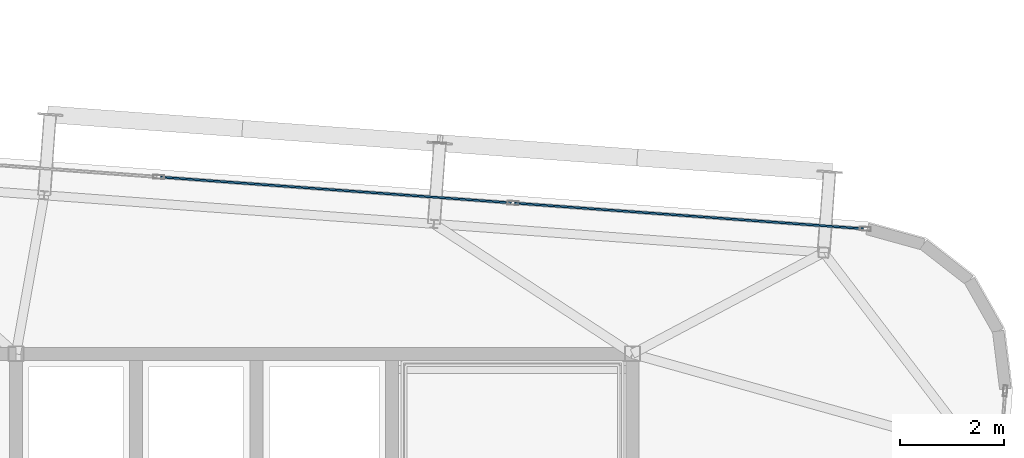
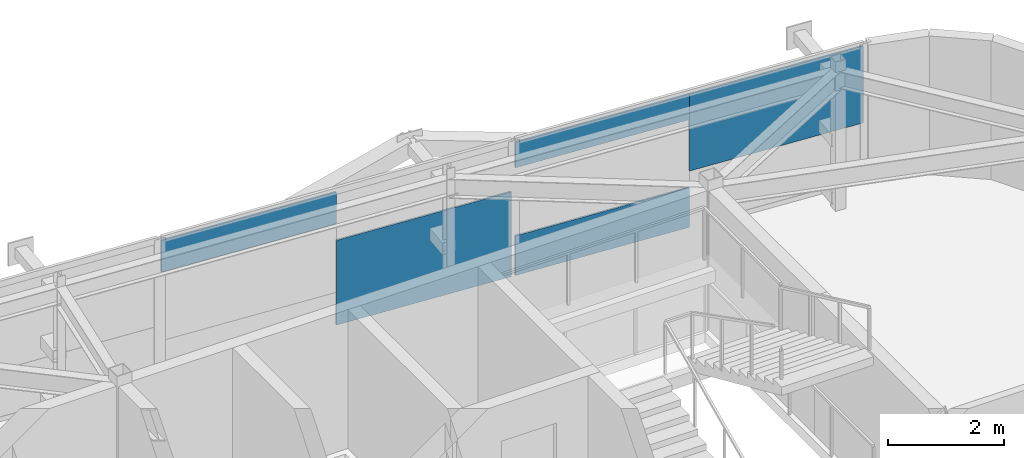
# One storey, part 28 of 39: 5 plates, 1 element without a shape of its own.
"""IFC4 building model written with IfcOpenShell, lengths in metres."""

from ifc_helpers import new_model, si_unit, direction, frame, origin, origin_2d, place, context, subcontext, project, spatial, rectangle, extrude, source, transform, mapped, material, layer, layer_set, type_object, element, aggregate, save


model = new_model("IFC4")

# Units and contexts
model_context = context("Model", 3, precision=1e-05, world=origin(), true_north=direction((0.0, 1.0)))
body_context = subcontext(model_context, "Body", "Model", "MODEL_VIEW")
ifc_project = project(units=[si_unit("LENGTHUNIT", "METRE"), si_unit("AREAUNIT", "SQUARE_METRE"), si_unit("VOLUMEUNIT", "CUBIC_METRE"), si_unit("PLANEANGLEUNIT", "RADIAN"), si_unit("MASSUNIT", "GRAM", prefix="KILO")], contexts=[model_context])

# Site, building, storey
site_placement = place(None, origin())
site = spatial("IfcSite", under=ifc_project, at=site_placement, CompositionType="ELEMENT")
building_placement = place(site_placement, origin())
building = spatial("IfcBuilding", under=site, at=building_placement, Name="Taldren Reach Tower", CompositionType="ELEMENT")
storey_placement = place(building_placement, frame((0.0, 0.0, 230.300048828125)))
storey = spatial("IfcBuildingStorey", under=building, at=storey_placement, Name="L70", CompositionType="ELEMENT", Elevation=230.300048828125)

# Curtain wall, plates
ifc_material_1 = material(Name="Aluminium and Low-E Glass Unitised System", Category="aluminium")
ifc_layer_1 = layer(ifc_material_1, 0.159912109375)
ifc_layer_set_1 = layer_set([ifc_layer_1], Name="Aluminium and Low-E Glass Unitised System")
curtain_wall_type = type_object("IfcCurtainWallType", Name="CW-SYS-7", PredefinedType="NOTDEFINED", material=ifc_layer_set_1)
curtain_wall_placement = place(storey_placement, origin())
curtain_wall = element("IfcCurtainWall", 1, at=curtain_wall_placement, inside=storey, type_object=curtain_wall_type, Name="Unitised curtain wall CW-L70-NEWING", PredefinedType="NOTDEFINED")
ifc_material_2 = material(Name="Acoustic Triple-Laminated IGU", Category="glass")
ifc_layer_2 = layer(ifc_material_2, 0.035888671875)
ifc_layer_set_2 = layer_set([ifc_layer_2], Name="Acoustic Triple-Laminated IGU")
plate_type = type_object("IfcPlateType", Name="CW-PNL-IGU36", PredefinedType="CURTAIN_PANEL", material=ifc_layer_set_2)
shared_shape_1 = source(origin(), body_context, "Body", "SweptSolid", [
    extrude(rectangle(XDim=3.34375, YDim=0.035888671875, at=origin_2d()), origin(), (0.0, 0.0, 1.0), 1.62353515625),
])
plate_1_placement = place(storey_placement, frame((53.75244140625, 34.517822265625, 1.24658203125), z_axis=(0.0, 0.0, 1.0), x_axis=(-0.997314475893, 0.073238215265, 0.0)))
plate_1 = element("IfcPlate", 2, at=plate_1_placement, type_object=plate_type, Name="CW-7 panel 1.1 part 1", PredefinedType="CURTAIN_PANEL", context=body_context, shape_type="MappedRepresentation", body=[
    mapped(shared_shape_1, transform((0.0, 0.0, 0.0), scale=1.0)),
])
shared_shape_2 = source(origin(), body_context, "Body", "SweptSolid", [
    extrude(rectangle(XDim=3.34375, YDim=0.035888671875, at=origin_2d()), origin(), (0.0, 0.0, 1.0), 0.8349609375),
])
plate_2_placement = place(storey_placement, frame((50.417724609375, 34.7626953125, 0.059814453125), z_axis=(0.0, 0.0, 1.0), x_axis=(-0.997314475893, 0.073238215265, 0.0)))
plate_2 = element("IfcPlate", 3, at=plate_2_placement, type_object=plate_type, Name="CW-7 panel 1.1 part 2", PredefinedType="CURTAIN_PANEL", context=body_context, shape_type="MappedRepresentation", body=[
    mapped(shared_shape_2, transform((0.0, 0.0, 0.0), scale=1.0)),
])
shared_shape_3 = source(origin(), body_context, "Body", "SweptSolid", [
    extrude(rectangle(XDim=3.34375, YDim=0.035888671875, at=origin_2d()), origin(), (0.0, 0.0, 1.0), 0.537109375),
])
plate_3_placement = place(storey_placement, frame((50.417724609375, 34.7626953125, 2.332763671875), z_axis=(0.0, 0.0, 1.0), x_axis=(-0.997314475893, 0.073238215265, 0.0)))
plate_3 = element("IfcPlate", 4, at=plate_3_placement, type_object=plate_type, Name="CW-7 panel 1.1 part 3", PredefinedType="CURTAIN_PANEL", context=body_context, shape_type="MappedRepresentation", body=[
    mapped(shared_shape_3, transform((0.0, 0.0, 0.0), scale=1.0)),
])
shared_shape_4 = source(origin(), body_context, "Body", "SweptSolid", [
    extrude(rectangle(XDim=3.3623046875, YDim=0.035888671875, at=origin_2d()), origin(), (0.0, 0.0, 1.0), 1.79052734375),
])
plate_4_placement = place(storey_placement, frame((46.9990234375, 35.013671875, 0.06005859375), z_axis=(0.0, 0.0, 1.0), x_axis=(-0.997314475893, 0.073238215265, 0.0)))
plate_4 = element("IfcPlate", 5, at=plate_4_placement, type_object=plate_type, Name="CW-7 panel 2.1 part 1", PredefinedType="CURTAIN_PANEL", context=body_context, shape_type="MappedRepresentation", body=[
    mapped(shared_shape_4, transform((0.0, 0.0, 0.0), scale=1.0)),
])
shared_shape_5 = source(origin(), body_context, "Body", "SweptSolid", [
    extrude(rectangle(XDim=3.3623046875, YDim=0.035888671875, at=origin_2d()), origin(), (0.0, 0.0, 1.0), 0.667724609375),
])
plate_5_placement = place(storey_placement, frame((43.6455078125, 35.260009765625, 2.2021484375), z_axis=(0.0, 0.0, 1.0), x_axis=(-0.997314475893, 0.073238215265, 0.0)))
plate_5 = element("IfcPlate", 6, at=plate_5_placement, type_object=plate_type, Name="CW-7 panel 2.1 part 3", PredefinedType="CURTAIN_PANEL", context=body_context, shape_type="MappedRepresentation", body=[
    mapped(shared_shape_5, transform((0.0, 0.0, 0.0), scale=1.0)),
])
aggregate(curtain_wall, [plate_1, plate_2, plate_3, plate_4, plate_5])

save(model, "model.ifc")
